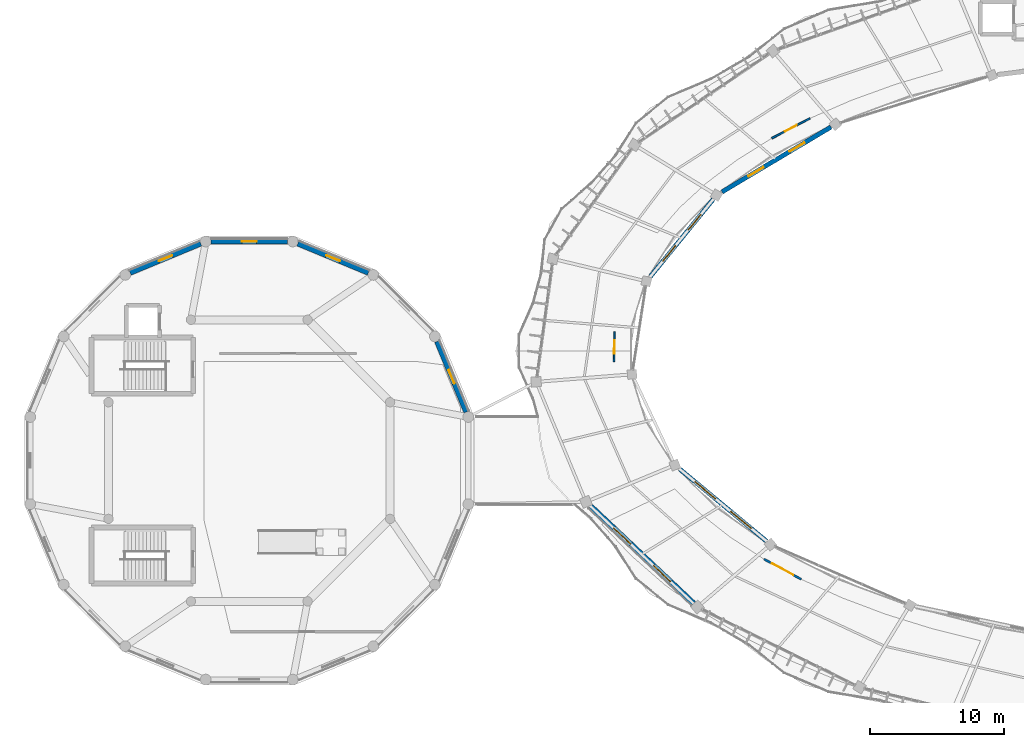
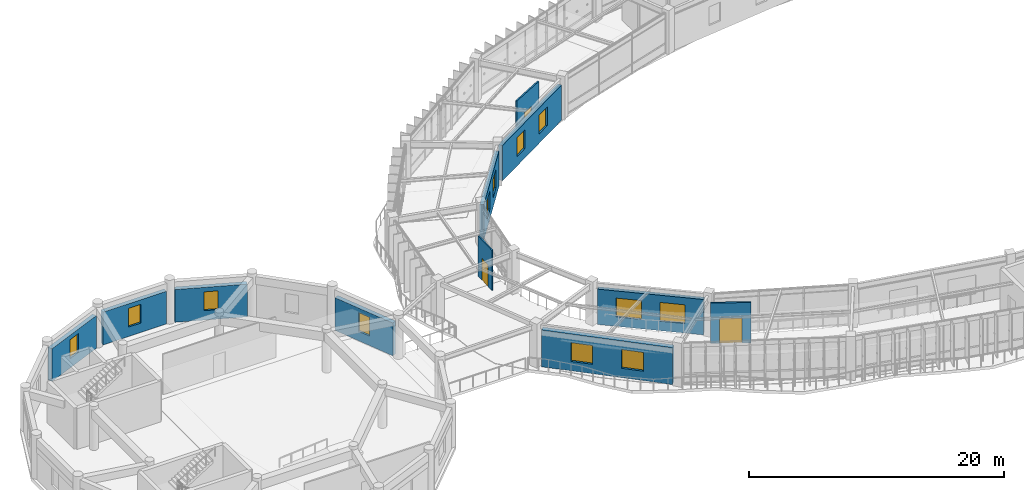
# One storey, part 123 of 152: 12 windows, 11 walls, 3 doors, 15 openings.
"""IFC4 building model written with IfcOpenShell, lengths in metres."""

from ifc_helpers import new_model, si_unit, direction, frame, frame_2d, origin, place, context, subcontext, project, spatial, rectangle, extrude, material, layer, layer_set, type_object, element, fill, save


model = new_model("IFC4")

# Units and contexts
model_context = context("Model", 3, precision=1e-05, world=origin(), true_north=direction((0.0, 1.0)))
body_context = subcontext(model_context, "Body", "Model", "MODEL_VIEW")
ifc_project = project(units=[si_unit("LENGTHUNIT", "METRE"), si_unit("AREAUNIT", "SQUARE_METRE"), si_unit("VOLUMEUNIT", "CUBIC_METRE"), si_unit("PLANEANGLEUNIT", "RADIAN"), si_unit("MASSUNIT", "GRAM", prefix="KILO"), si_unit("THERMODYNAMICTEMPERATUREUNIT", "KELVIN"), si_unit("POWERUNIT", "WATT")], contexts=[model_context])

# Site, building, storey
site_placement = place(None, origin())
site = spatial("IfcSite", under=ifc_project, at=site_placement, CompositionType="ELEMENT")
building_placement = place(site_placement, origin())
building = spatial("IfcBuilding", under=site, at=building_placement, Name="Darbajah Civic Hall", CompositionType="ELEMENT")
storey_placement = place(building_placement, frame((0.0, 0.0, 5.39990234375)))
storey = spatial("IfcBuildingStorey", under=building, at=storey_placement, Name="L01", CompositionType="ELEMENT", Elevation=5.39990234375)

# Wall, openings, windows
ifc_material_1 = material(Name="Qatari Desert Limestone Ashlar", Category="masonry")
ifc_layer_1 = layer(ifc_material_1, 0.340087890625, Name="Qatari Desert Limestone Ashlar")
ifc_layer_set_1 = layer_set([ifc_layer_1], Name="Qatari Desert Limestone Ashlar")
wall_type_1 = type_object("IfcWallType", Name="Exterior Wall 340mm", PredefinedType="SOLIDWALL", material=ifc_layer_set_1)
wall_1_placement = place(storey_placement, frame((60.305419921875, 106.54931640625, 0.0), z_axis=(0.0, 0.0, 1.0), x_axis=(-0.858943706938, -0.512070022859, 0.0)))
wall_1 = element("IfcWall", 1, at=wall_1_placement, inside=storey, type_object=wall_type_1, Name="L01 exterior wall EW-340", PredefinedType="SOLIDWALL", context=body_context, shape_type="SweptSolid", body=[
    extrude(rectangle(XDim=9.480712890625, YDim=0.340087890625, at=frame_2d((4.740234375, 0.0))), origin(), (0.0, 0.0, 1.0), 3.386962890625),
])
opening_1_placement = place(wall_1_placement, frame((2.29345703125, 0.0, 0.89990234375)))
opening_1 = element("IfcOpeningElement", 2, at=opening_1_placement, cuts=wall_1, Name="Opening WN-18", PredefinedType="OPENING", context=body_context, shape_type="SweptSolid", body=[
    extrude(rectangle(XDim=1.300048828125, YDim=1.800048828125, at=frame_2d((0.64990234375, 0.89990234375))), frame((0.0, 0.179931640625, 0.0), z_axis=(0.0, -1.0, 0.0), x_axis=(1.0, 0.0, 0.0)), (0.0, 0.0, 1.0), 0.360107421875),
])
opening_2_placement = place(wall_1_placement, frame((5.886962890625, 0.0, 0.89990234375)))
opening_2 = element("IfcOpeningElement", 3, at=opening_2_placement, cuts=wall_1, Name="Opening WN-18", PredefinedType="OPENING", context=body_context, shape_type="SweptSolid", body=[
    extrude(rectangle(XDim=1.300048828125, YDim=1.800048828125, at=frame_2d((0.64990234375, 0.89990234375))), frame((0.0, 0.179931640625, 0.0), z_axis=(0.0, -1.0, 0.0), x_axis=(1.0, 0.0, 0.0)), (0.0, 0.0, 1.0), 0.360107421875),
])
ifc_material_2 = material(Name="Low-E Solar Control Double Glazing", Category="glass")
window_type_1 = type_object("IfcWindowType", Name="Facade Window 1300x1800", PartitioningType="SINGLE_PANEL", PredefinedType="WINDOW", material=ifc_material_2)
window_1_placement = place(opening_1_placement, origin())
window_1 = element("IfcWindow", 4, at=window_1_placement, inside=storey, type_object=window_type_1, Name="L01 facade window WN-18", OverallHeight=1.800048828125, OverallWidth=1.300048828125, PartitioningType="SINGLE_PANEL", PredefinedType="WINDOW", context=body_context, shape_type="SweptSolid", body=[
    extrude(rectangle(XDim=1.300048828125, YDim=1.800048828125, at=frame_2d((0.64990234375, 0.89990234375))), frame((0.0, 0.030029296875, 0.0), z_axis=(0.0, -1.0, 0.0), x_axis=(1.0, 0.0, 0.0)), (0.0, 0.0, 1.0), 0.06005859375),
])
fill(opening_1, window_1)
window_2_placement = place(opening_2_placement, origin())
window_2 = element("IfcWindow", 5, at=window_2_placement, inside=storey, type_object=window_type_1, Name="L01 facade window WN-18", OverallHeight=1.800048828125, OverallWidth=1.300048828125, PartitioningType="SINGLE_PANEL", PredefinedType="WINDOW", context=body_context, shape_type="SweptSolid", body=[
    extrude(rectangle(XDim=1.300048828125, YDim=1.800048828125, at=frame_2d((0.64990234375, 0.89990234375))), frame((0.0, 0.030029296875, 0.0), z_axis=(0.0, -1.0, 0.0), x_axis=(1.0, 0.0, 0.0)), (0.0, 0.0, 1.0), 0.06005859375),
])
fill(opening_2, window_2)

wall_2_placement = place(storey_placement, frame((51.5048828125, 101.14501953125, 0.0), z_axis=(0.0, 0.0, 1.0), x_axis=(-0.631096162526, -0.77570460463, 0.0)))
wall_2 = element("IfcWall", 6, at=wall_2_placement, inside=storey, type_object=wall_type_1, Name="L01 exterior wall EW-340", PredefinedType="SOLIDWALL", context=body_context, shape_type="SweptSolid", body=[
    extrude(rectangle(XDim=7.4453125, YDim=0.340087890625, at=frame_2d((3.72265625, 0.0))), origin(), (0.0, 0.0, 1.0), 3.386962890625),
])
opening_3_placement = place(wall_2_placement, frame((1.481689453125, 0.0, 0.89990234375)))
opening_3 = element("IfcOpeningElement", 7, at=opening_3_placement, cuts=wall_2, Name="Opening WN-19", PredefinedType="OPENING", context=body_context, shape_type="SweptSolid", body=[
    extrude(rectangle(XDim=1.5, YDim=1.800048828125, at=frame_2d((0.75, 0.89990234375))), frame((0.0, 0.179931640625, 0.0), z_axis=(0.0, -1.0, 0.0), x_axis=(1.0, 0.0, 0.0)), (0.0, 0.0, 1.0), 0.360107421875),
])
opening_4_placement = place(wall_2_placement, frame((4.463623046875, 0.0, 0.89990234375)))
opening_4 = element("IfcOpeningElement", 8, at=opening_4_placement, cuts=wall_2, Name="Opening WN-19", PredefinedType="OPENING", context=body_context, shape_type="SweptSolid", body=[
    extrude(rectangle(XDim=1.5, YDim=1.800048828125, at=frame_2d((0.75, 0.89990234375))), frame((0.0, 0.179931640625, 0.0), z_axis=(0.0, -1.0, 0.0), x_axis=(1.0, 0.0, 0.0)), (0.0, 0.0, 1.0), 0.360107421875),
])
window_type_2 = type_object("IfcWindowType", Name="Facade Window 1500x1800", PartitioningType="SINGLE_PANEL", PredefinedType="WINDOW", material=ifc_material_2)
window_3_placement = place(opening_3_placement, origin())
window_3 = element("IfcWindow", 9, at=window_3_placement, inside=storey, type_object=window_type_2, Name="L01 facade window WN-19", OverallHeight=1.800048828125, OverallWidth=1.5, PartitioningType="SINGLE_PANEL", PredefinedType="WINDOW", context=body_context, shape_type="SweptSolid", body=[
    extrude(rectangle(XDim=1.5, YDim=1.800048828125, at=frame_2d((0.75, 0.89990234375))), frame((0.0, 0.030029296875, 0.0), z_axis=(0.0, -1.0, 0.0), x_axis=(1.0, 0.0, 0.0)), (0.0, 0.0, 1.0), 0.06005859375),
])
fill(opening_3, window_3)
window_4_placement = place(opening_4_placement, origin())
window_4 = element("IfcWindow", 10, at=window_4_placement, inside=storey, type_object=window_type_2, Name="L01 facade window WN-19", OverallHeight=1.800048828125, OverallWidth=1.5, PartitioningType="SINGLE_PANEL", PredefinedType="WINDOW", context=body_context, shape_type="SweptSolid", body=[
    extrude(rectangle(XDim=1.5, YDim=1.800048828125, at=frame_2d((0.75, 0.89990234375))), frame((0.0, 0.030029296875, 0.0), z_axis=(0.0, -1.0, 0.0), x_axis=(1.0, 0.0, 0.0)), (0.0, 0.0, 1.0), 0.06005859375),
])
fill(opening_4, window_4)

wall_3_placement = place(storey_placement, frame((48.999267578125, 80.962890625, 0.0), z_axis=(0.0, 0.0, 1.0), x_axis=(0.769155980403, -0.639061090828, 0.0)))
wall_3 = element("IfcWall", 11, at=wall_3_placement, inside=storey, type_object=wall_type_1, Name="L01 exterior wall EW-340", PredefinedType="SOLIDWALL", context=body_context, shape_type="SweptSolid", body=[
    extrude(rectangle(XDim=8.427978515625, YDim=0.340087890625, at=frame_2d((4.2138671875, 0.0))), origin(), (0.0, 0.0, 1.0), 3.386962890625),
])
opening_5_placement = place(wall_3_placement, frame((1.475830078125, 0.0, 0.89990234375)))
opening_5 = element("IfcOpeningElement", 12, at=opening_5_placement, cuts=wall_3, Name="Opening WN-21", PredefinedType="OPENING", context=body_context, shape_type="SweptSolid", body=[
    extrude(rectangle(XDim=2.0, YDim=1.800048828125, at=frame_2d((1.0, 0.89990234375))), frame((0.0, 0.179931640625, 0.0), z_axis=(0.0, -1.0, 0.0), x_axis=(1.0, 0.0, 0.0)), (0.0, 0.0, 1.0), 0.360107421875),
])
opening_6_placement = place(wall_3_placement, frame((4.951904296875, 0.0, 0.89990234375)))
opening_6 = element("IfcOpeningElement", 13, at=opening_6_placement, cuts=wall_3, Name="Opening WN-21", PredefinedType="OPENING", context=body_context, shape_type="SweptSolid", body=[
    extrude(rectangle(XDim=2.0, YDim=1.800048828125, at=frame_2d((1.0, 0.89990234375))), frame((0.0, 0.179931640625, 0.0), z_axis=(0.0, -1.0, 0.0), x_axis=(1.0, 0.0, 0.0)), (0.0, 0.0, 1.0), 0.360107421875),
])
window_type_3 = type_object("IfcWindowType", Name="Facade Window 2000x1800", PartitioningType="DOUBLE_PANEL_VERTICAL", PredefinedType="WINDOW", material=ifc_material_2)
window_5_placement = place(opening_5_placement, origin())
window_5 = element("IfcWindow", 14, at=window_5_placement, inside=storey, type_object=window_type_3, Name="L01 facade window WN-21", OverallHeight=1.800048828125, OverallWidth=2.0, PartitioningType="SINGLE_PANEL", PredefinedType="WINDOW", context=body_context, shape_type="SweptSolid", body=[
    extrude(rectangle(XDim=2.0, YDim=1.800048828125, at=frame_2d((1.0, 0.89990234375))), frame((0.0, 0.030029296875, 0.0), z_axis=(0.0, -1.0, 0.0), x_axis=(1.0, 0.0, 0.0)), (0.0, 0.0, 1.0), 0.06005859375),
])
fill(opening_5, window_5)
window_6_placement = place(opening_6_placement, origin())
window_6 = element("IfcWindow", 15, at=window_6_placement, inside=storey, type_object=window_type_3, Name="L01 facade window WN-21", OverallHeight=1.800048828125, OverallWidth=2.0, PartitioningType="SINGLE_PANEL", PredefinedType="WINDOW", context=body_context, shape_type="SweptSolid", body=[
    extrude(rectangle(XDim=2.0, YDim=1.800048828125, at=frame_2d((1.0, 0.89990234375))), frame((0.0, 0.030029296875, 0.0), z_axis=(0.0, -1.0, 0.0), x_axis=(1.0, 0.0, 0.0)), (0.0, 0.0, 1.0), 0.06005859375),
])
fill(opening_6, window_6)

# Wall, opening, window
ifc_material_3 = material(Name="Red Dholpur Sandstone Cladding", Category="masonry")
ifc_layer_2 = layer(ifc_material_3, 0.3798828125, Name="Red Dholpur Sandstone Cladding")
ifc_layer_set_2 = layer_set([ifc_layer_2], Name="Red Dholpur Sandstone Cladding")
wall_type_2 = type_object("IfcWallType", Name="Exterior Wall 380mm", PredefinedType="SOLIDWALL", material=ifc_layer_set_2)
wall_4_placement = place(storey_placement, frame((33.026123046875, 85.2294921875, 0.0), z_axis=(0.0, 0.0, 1.0), x_axis=(-0.382681441383, 0.923880357201, 0.0)))
wall_4 = element("IfcWall", 16, at=wall_4_placement, inside=storey, type_object=wall_type_2, Name="L01 exterior wall EW-380", PredefinedType="SOLIDWALL", context=body_context, shape_type="SweptSolid", body=[
    extrude(rectangle(XDim=5.71240234375, YDim=0.3798828125, at=frame_2d((2.856201171875, 0.0))), origin(), (0.0, 0.0, 1.0), 3.130126953125),
])
opening_7_placement = place(wall_4_placement, frame((2.30615234375, 0.0, 0.89990234375)))
opening_7 = element("IfcOpeningElement", 17, at=opening_7_placement, cuts=wall_4, Name="Opening WN-17", PredefinedType="OPENING", context=body_context, shape_type="SweptSolid", body=[
    extrude(rectangle(XDim=1.10009765625, YDim=1.800048828125, at=frame_2d((0.550048828125, 0.89990234375))), frame((0.0, 0.199951171875, 0.0), z_axis=(0.0, -1.0, 0.0), x_axis=(1.0, 0.0, 0.0)), (0.0, 0.0, 1.0), 0.39990234375),
])
window_type_4 = type_object("IfcWindowType", Name="Facade Window 1100x1800", PartitioningType="SINGLE_PANEL", PredefinedType="WINDOW", material=ifc_material_2)
window_7_placement = place(opening_7_placement, origin())
window_7 = element("IfcWindow", 18, at=window_7_placement, inside=storey, type_object=window_type_4, Name="L01 facade window WN-17", OverallHeight=1.800048828125, OverallWidth=1.10009765625, PartitioningType="SINGLE_PANEL", PredefinedType="WINDOW", context=body_context, shape_type="SweptSolid", body=[
    extrude(rectangle(XDim=1.10009765625, YDim=1.800048828125, at=frame_2d((0.550048828125, 0.89990234375))), frame((0.0, 0.030029296875, 0.0), z_axis=(0.0, -1.0, 0.0), x_axis=(1.0, 0.0, 0.0)), (0.0, 0.0, 1.0), 0.06005859375),
])
fill(opening_7, window_7)

wall_5_placement = place(storey_placement, frame((25.70703125, 95.64013671875, 0.0), z_axis=(0.0, 0.0, 1.0), x_axis=(-0.923874097972, 0.382696552241, 0.0)))
wall_5 = element("IfcWall", 19, at=wall_5_placement, inside=storey, type_object=wall_type_2, Name="L01 exterior wall EW-380", PredefinedType="SOLIDWALL", context=body_context, shape_type="SweptSolid", body=[
    extrude(rectangle(XDim=5.712158203125, YDim=0.3798828125, at=frame_2d((2.85595703125, 0.0))), origin(), (0.0, 0.0, 1.0), 3.130126953125),
])
opening_8_placement = place(wall_5_placement, frame((2.30615234375, 0.0, 0.89990234375)))
opening_8 = element("IfcOpeningElement", 20, at=opening_8_placement, cuts=wall_5, Name="Opening WN-17", PredefinedType="OPENING", context=body_context, shape_type="SweptSolid", body=[
    extrude(rectangle(XDim=1.10009765625, YDim=1.800048828125, at=frame_2d((0.550048828125, 0.89990234375))), frame((0.0, 0.199951171875, 0.0), z_axis=(0.0, -1.0, 0.0), x_axis=(1.0, 0.0, 0.0)), (0.0, 0.0, 1.0), 0.39990234375),
])
window_8_placement = place(opening_8_placement, origin())
window_8 = element("IfcWindow", 21, at=window_8_placement, inside=storey, type_object=window_type_4, Name="L01 facade window WN-17", OverallHeight=1.800048828125, OverallWidth=1.10009765625, PartitioningType="SINGLE_PANEL", PredefinedType="WINDOW", context=body_context, shape_type="SweptSolid", body=[
    extrude(rectangle(XDim=1.10009765625, YDim=1.800048828125, at=frame_2d((0.550048828125, 0.89990234375))), frame((0.0, 0.030029296875, 0.0), z_axis=(0.0, -1.0, 0.0), x_axis=(1.0, 0.0, 0.0)), (0.0, 0.0, 1.0), 0.06005859375),
])
fill(opening_8, window_8)

wall_6_placement = place(storey_placement, frame((19.65625, 97.97998046875, 0.0), z_axis=(0.0, 0.0, 1.0), x_axis=(-1.0, 0.0, 0.0)))
wall_6 = element("IfcWall", 22, at=wall_6_placement, inside=storey, type_object=wall_type_2, Name="L01 exterior wall EW-380", PredefinedType="SOLIDWALL", context=body_context, shape_type="SweptSolid", body=[
    extrude(rectangle(XDim=5.71240234375, YDim=0.3798828125, at=frame_2d((2.856201171875, 0.0))), origin(), (0.0, 0.0, 1.0), 3.130126953125),
])
opening_9_placement = place(wall_6_placement, frame((2.30615234375, 0.0, 0.89990234375)))
opening_9 = element("IfcOpeningElement", 23, at=opening_9_placement, cuts=wall_6, Name="Opening WN-17", PredefinedType="OPENING", context=body_context, shape_type="SweptSolid", body=[
    extrude(rectangle(XDim=1.10009765625, YDim=1.800048828125, at=frame_2d((0.550048828125, 0.89990234375))), frame((0.0, 0.199951171875, 0.0), z_axis=(0.0, -1.0, 0.0), x_axis=(1.0, 0.0, 0.0)), (0.0, 0.0, 1.0), 0.39990234375),
])
window_9_placement = place(opening_9_placement, origin())
window_9 = element("IfcWindow", 24, at=window_9_placement, inside=storey, type_object=window_type_4, Name="L01 facade window WN-17", OverallHeight=1.800048828125, OverallWidth=1.10009765625, PartitioningType="SINGLE_PANEL", PredefinedType="WINDOW", context=body_context, shape_type="SweptSolid", body=[
    extrude(rectangle(XDim=1.10009765625, YDim=1.800048828125, at=frame_2d((0.550048828125, 0.89990234375))), frame((0.0, 0.030029296875, 0.0), z_axis=(0.0, -1.0, 0.0), x_axis=(1.0, 0.0, 0.0)), (0.0, 0.0, 1.0), 0.06005859375),
])
fill(opening_9, window_9)

wall_7_placement = place(storey_placement, frame((13.17041015625, 97.826171875, 0.0), z_axis=(0.0, 0.0, 1.0), x_axis=(-0.923880357201, -0.382681441383, 0.0)))
wall_7 = element("IfcWall", 25, at=wall_7_placement, inside=storey, type_object=wall_type_2, Name="L01 exterior wall EW-380", PredefinedType="SOLIDWALL", context=body_context, shape_type="SweptSolid", body=[
    extrude(rectangle(XDim=5.71240234375, YDim=0.3798828125, at=frame_2d((2.856201171875, 0.0))), origin(), (0.0, 0.0, 1.0), 3.130126953125),
])
opening_10_placement = place(wall_7_placement, frame((2.30615234375, 0.0, 0.89990234375)))
opening_10 = element("IfcOpeningElement", 26, at=opening_10_placement, cuts=wall_7, Name="Opening WN-17", PredefinedType="OPENING", context=body_context, shape_type="SweptSolid", body=[
    extrude(rectangle(XDim=1.10009765625, YDim=1.800048828125, at=frame_2d((0.550048828125, 0.89990234375))), frame((0.0, 0.199951171875, 0.0), z_axis=(0.0, -1.0, 0.0), x_axis=(1.0, 0.0, 0.0)), (0.0, 0.0, 1.0), 0.39990234375),
])
window_10_placement = place(opening_10_placement, origin())
window_10 = element("IfcWindow", 27, at=window_10_placement, inside=storey, type_object=window_type_4, Name="L01 facade window WN-17", OverallHeight=1.800048828125, OverallWidth=1.10009765625, PartitioningType="SINGLE_PANEL", PredefinedType="WINDOW", context=body_context, shape_type="SweptSolid", body=[
    extrude(rectangle(XDim=1.10009765625, YDim=1.800048828125, at=frame_2d((0.550048828125, 0.89990234375))), frame((0.0, 0.030029296875, 0.0), z_axis=(0.0, -1.0, 0.0), x_axis=(1.0, 0.0, 0.0)), (0.0, 0.0, 1.0), 0.06005859375),
])
fill(opening_10, window_10)

# Wall, openings, windows
ifc_layer_3 = layer(ifc_material_1, 0.419921875, Name="Qatari Desert Limestone Ashlar")
ifc_layer_set_3 = layer_set([ifc_layer_3], Name="Qatari Desert Limestone Ashlar")
wall_type_3 = type_object("IfcWallType", Name="Exterior Wall 420mm", PredefinedType="SOLIDWALL", material=ifc_layer_set_3)
wall_8_placement = place(storey_placement, frame((42.343994140625, 78.169189453125, 0.0), z_axis=(0.0, 0.0, 1.0), x_axis=(0.727219088219, -0.686405417906, 0.0)))
wall_8 = element("IfcWall", 28, at=wall_8_placement, inside=storey, type_object=wall_type_3, Name="L01 exterior wall EW-420", PredefinedType="SOLIDWALL", context=body_context, shape_type="SweptSolid", body=[
    extrude(rectangle(XDim=10.552001953125, YDim=0.419921875, at=frame_2d((5.27587890625, 0.0))), origin(), (0.0, 0.0, 1.0), 3.52001953125),
])
opening_11_placement = place(wall_8_placement, frame((2.3505859375, 0.0, 0.89990234375)))
opening_11 = element("IfcOpeningElement", 29, at=opening_11_placement, cuts=wall_8, Name="Opening WN-20", PredefinedType="OPENING", context=body_context, shape_type="SweptSolid", body=[
    extrude(rectangle(XDim=1.75, YDim=1.800048828125, at=frame_2d((0.875, 0.89990234375))), frame((0.0, 0.219970703125, 0.0), z_axis=(0.0, -1.0, 0.0), x_axis=(1.0, 0.0, 0.0)), (0.0, 0.0, 1.0), 0.43994140625),
])
opening_12_placement = place(wall_8_placement, frame((6.451416015625, 0.0, 0.89990234375)))
opening_12 = element("IfcOpeningElement", 30, at=opening_12_placement, cuts=wall_8, Name="Opening WN-20", PredefinedType="OPENING", context=body_context, shape_type="SweptSolid", body=[
    extrude(rectangle(XDim=1.75, YDim=1.800048828125, at=frame_2d((0.875, 0.89990234375))), frame((0.0, 0.219970703125, 0.0), z_axis=(0.0, -1.0, 0.0), x_axis=(1.0, 0.0, 0.0)), (0.0, 0.0, 1.0), 0.43994140625),
])
window_type_5 = type_object("IfcWindowType", Name="Facade Window 1750x1800", PartitioningType="DOUBLE_PANEL_VERTICAL", PredefinedType="WINDOW", material=ifc_material_2)
window_11_placement = place(opening_11_placement, origin())
window_11 = element("IfcWindow", 31, at=window_11_placement, inside=storey, type_object=window_type_5, Name="L01 facade window WN-20", OverallHeight=1.800048828125, OverallWidth=1.75, PartitioningType="SINGLE_PANEL", PredefinedType="WINDOW", context=body_context, shape_type="SweptSolid", body=[
    extrude(rectangle(XDim=1.75, YDim=1.800048828125, at=frame_2d((0.875, 0.89990234375))), frame((0.0, 0.030029296875, 0.0), z_axis=(0.0, -1.0, 0.0), x_axis=(1.0, 0.0, 0.0)), (0.0, 0.0, 1.0), 0.06005859375),
])
fill(opening_11, window_11)
window_12_placement = place(opening_12_placement, origin())
window_12 = element("IfcWindow", 32, at=window_12_placement, inside=storey, type_object=window_type_5, Name="L01 facade window WN-20", OverallHeight=1.800048828125, OverallWidth=1.75, PartitioningType="SINGLE_PANEL", PredefinedType="WINDOW", context=body_context, shape_type="SweptSolid", body=[
    extrude(rectangle(XDim=1.75, YDim=1.800048828125, at=frame_2d((0.875, 0.89990234375))), frame((0.0, 0.030029296875, 0.0), z_axis=(0.0, -1.0, 0.0), x_axis=(1.0, 0.0, 0.0)), (0.0, 0.0, 1.0), 0.06005859375),
])
fill(opening_12, window_12)

# Wall, opening, door
ifc_material_4 = material(Name="Acoustic Gypsum Partition")
ifc_layer_4 = layer(ifc_material_4, 0.114990234375, Name="Acoustic Gypsum Partition")
ifc_layer_set_4 = layer_set([ifc_layer_4], Name="Acoustic Gypsum Partition")
wall_type_4 = type_object("IfcWallType", Name="Interior Partition 115mm", PredefinedType="PARTITIONING", material=ifc_layer_set_4)
wall_9_placement = place(storey_placement, frame((44.077392578125, 88.97802734375, 0.0), z_axis=(0.0, 0.0, 1.0), x_axis=(0.025056953096, 0.999686025261, 0.0)))
wall_9 = element("IfcWall", 33, at=wall_9_placement, inside=storey, type_object=wall_type_4, Name="L01 interior partition L01-V1-05", PredefinedType="PARTITIONING", context=body_context, shape_type="SweptSolid", body=[
    extrude(rectangle(XDim=2.260498046875, YDim=0.114990234375, at=frame_2d((1.13037109375, 0.0))), origin(), (0.0, 0.0, 1.0), 3.860107421875),
])
opening_13_placement = place(wall_9_placement, frame((0.630126953125, 0.0, 0.0)))
opening_13 = element("IfcOpeningElement", 34, at=opening_13_placement, cuts=wall_9, Name="Opening D-0178", PredefinedType="OPENING", context=body_context, shape_type="SweptSolid", body=[
    extrude(rectangle(XDim=1.0, YDim=2.10009765625, at=frame_2d((0.5, 1.050048828125))), frame((0.0, 0.0673828125, 0.0), z_axis=(0.0, -1.0, 0.0), x_axis=(1.0, 0.0, 0.0)), (0.0, 0.0, 1.0), 0.135009765625),
])
ifc_material_5 = material(Name="Oak Suite Door")
door_type_1 = type_object("IfcDoorType", Name="Interior Door 1000x2100", OperationType="NOTDEFINED", PredefinedType="DOOR", material=ifc_material_5)
door_1_placement = place(opening_13_placement, origin())
door_1 = element("IfcDoor", 35, at=door_1_placement, inside=storey, type_object=door_type_1, Name="L01 L01-V1-05 door D-0178", OperationType="SINGLE_SWING_LEFT", OverallHeight=2.10009765625, OverallWidth=1.0, PredefinedType="DOOR", context=body_context, shape_type="SweptSolid", body=[
    extrude(rectangle(XDim=1.0, YDim=2.10009765625, at=frame_2d((0.5, 1.050048828125))), frame((0.0, 0.02490234375, 0.0), z_axis=(0.0, -1.0, 0.0), x_axis=(1.0, 0.0, 0.0)), (0.0, 0.0, 1.0), 0.050048828125),
])
fill(opening_13, door_1)

ifc_material_6 = material(Name="Gypsum Plasterboard on Steel Stud", Category="steel")
ifc_layer_5 = layer(ifc_material_6, 0.135009765625, Name="Gypsum Plasterboard on Steel Stud")
ifc_layer_set_5 = layer_set([ifc_layer_5], Name="Gypsum Plasterboard on Steel Stud")
wall_type_5 = type_object("IfcWallType", Name="Interior Partition 135mm", PredefinedType="PARTITIONING", material=ifc_layer_set_5)
wall_10_placement = place(storey_placement, frame((55.8857421875, 105.710205078125, 0.0), z_axis=(0.0, 0.0, 1.0), x_axis=(0.886644394813, 0.46245185387, 0.0)))
wall_10 = element("IfcWall", 36, at=wall_10_placement, inside=storey, type_object=wall_type_5, Name="L01 interior partition L01-V1-04", PredefinedType="PARTITIONING", context=body_context, shape_type="SweptSolid", body=[
    extrude(rectangle(XDim=3.216064453125, YDim=0.135009765625, at=frame_2d((1.60791015625, 0.0))), origin(), (0.0, 0.0, 1.0), 3.860107421875),
])
opening_14_placement = place(wall_10_placement, frame((1.108154296875, 0.0, 0.0)))
opening_14 = element("IfcOpeningElement", 37, at=opening_14_placement, cuts=wall_10, Name="Opening D-0177", PredefinedType="OPENING", context=body_context, shape_type="SweptSolid", body=[
    extrude(rectangle(XDim=1.0, YDim=2.10009765625, at=frame_2d((0.5, 1.050048828125))), frame((0.0, 0.077392578125, 0.0), z_axis=(0.0, -1.0, 0.0), x_axis=(1.0, 0.0, 0.0)), (0.0, 0.0, 1.0), 0.155029296875),
])
door_2_placement = place(opening_14_placement, origin())
door_2 = element("IfcDoor", 38, at=door_2_placement, inside=storey, type_object=door_type_1, Name="L01 L01-V1-04 door D-0177", OperationType="SINGLE_SWING_RIGHT", OverallHeight=2.10009765625, OverallWidth=1.0, PredefinedType="DOOR", context=body_context, shape_type="SweptSolid", body=[
    extrude(rectangle(XDim=1.0, YDim=2.10009765625, at=frame_2d((0.5, 1.050048828125))), frame((0.0, 0.02490234375, 0.0), z_axis=(0.0, -1.0, 0.0), x_axis=(1.0, 0.0, 0.0)), (0.0, 0.0, 1.0), 0.050048828125),
])
fill(opening_14, door_2)

ifc_layer_6 = layer(ifc_material_6, 0.159912109375, Name="Gypsum Plasterboard on Steel Stud")
ifc_layer_set_6 = layer_set([ifc_layer_6], Name="Gypsum Plasterboard on Steel Stud")
wall_type_6 = type_object("IfcWallType", Name="Interior Partition 160mm", PredefinedType="PARTITIONING", material=ifc_layer_set_6)
wall_11_placement = place(storey_placement, frame((58.089599609375, 72.71728515625, 0.0), z_axis=(0.0, 0.0, 1.0), x_axis=(-0.878955499083, 0.476903795991, 0.0)))
wall_11 = element("IfcWall", 39, at=wall_11_placement, inside=storey, type_object=wall_type_6, Name="L01 interior partition L01-V1-06", PredefinedType="PARTITIONING", context=body_context, shape_type="SweptSolid", body=[
    extrude(rectangle(XDim=3.18017578125, YDim=0.159912109375, at=frame_2d((1.590087890625, 0.0))), origin(), (0.0, 0.0, 1.0), 3.860107421875),
])
opening_15_placement = place(wall_11_placement, frame((0.68994140625, 0.0, 0.0)))
opening_15 = element("IfcOpeningElement", 40, at=opening_15_placement, cuts=wall_11, Name="Opening D-0179", PredefinedType="OPENING", context=body_context, shape_type="SweptSolid", body=[
    extrude(rectangle(XDim=1.800048828125, YDim=2.39990234375, at=frame_2d((0.89990234375, 1.199951171875))), frame((0.0, 0.08984375, 0.0), z_axis=(0.0, -1.0, 0.0), x_axis=(1.0, 0.0, 0.0)), (0.0, 0.0, 1.0), 0.179931640625),
])
ifc_material_7 = material(Name="Painted Hardwood Fire Door", Category="wood")
door_type_2 = type_object("IfcDoorType", Name="Interior Door 1800x2400", OperationType="NOTDEFINED", PredefinedType="DOOR", material=ifc_material_7)
door_3_placement = place(opening_15_placement, origin())
door_3 = element("IfcDoor", 41, at=door_3_placement, inside=storey, type_object=door_type_2, Name="L01 L01-V1-06 door D-0179", OperationType="DOUBLE_DOOR_SINGLE_SWING", OverallHeight=2.39990234375, OverallWidth=1.800048828125, PredefinedType="DOOR", context=body_context, shape_type="SweptSolid", body=[
    extrude(rectangle(XDim=1.800048828125, YDim=2.39990234375, at=frame_2d((0.89990234375, 1.199951171875))), frame((0.0, 0.02490234375, 0.0), z_axis=(0.0, -1.0, 0.0), x_axis=(1.0, 0.0, 0.0)), (0.0, 0.0, 1.0), 0.050048828125),
])
fill(opening_15, door_3)

save(model, "model.ifc")
